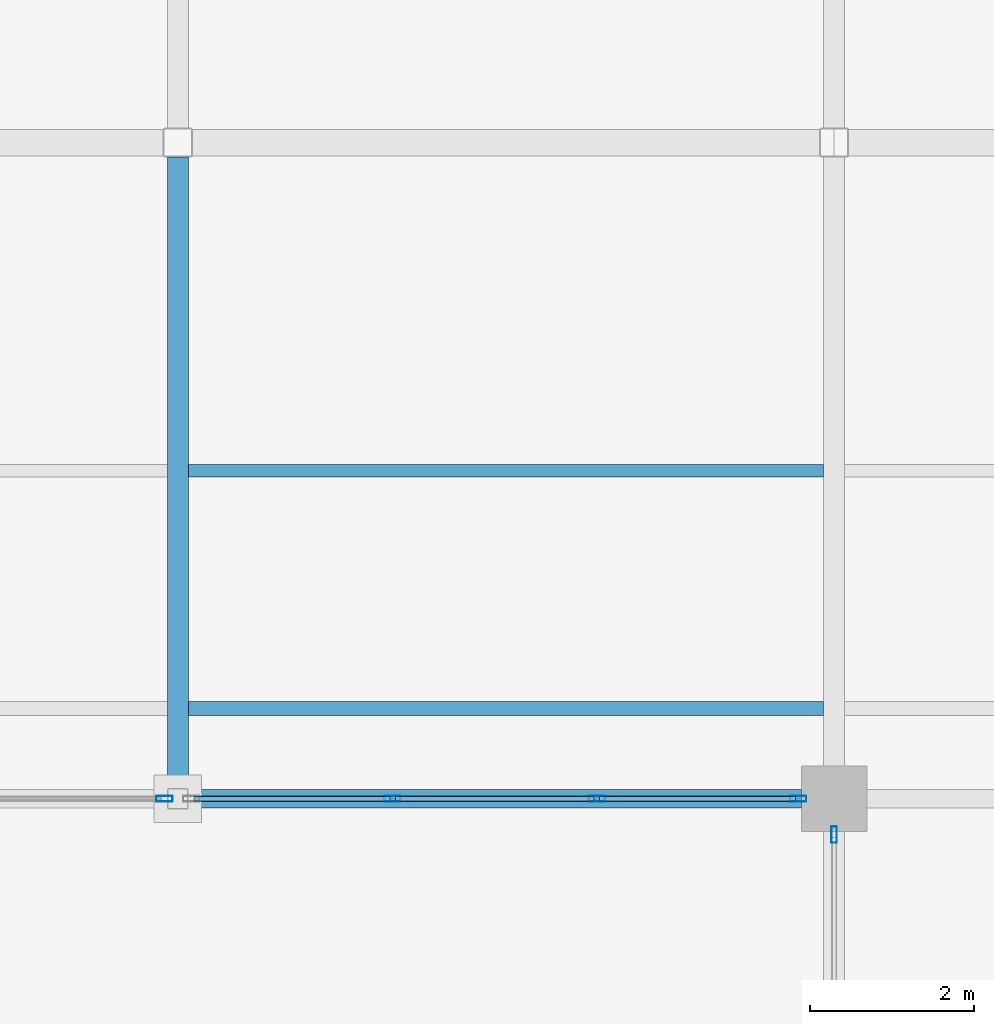
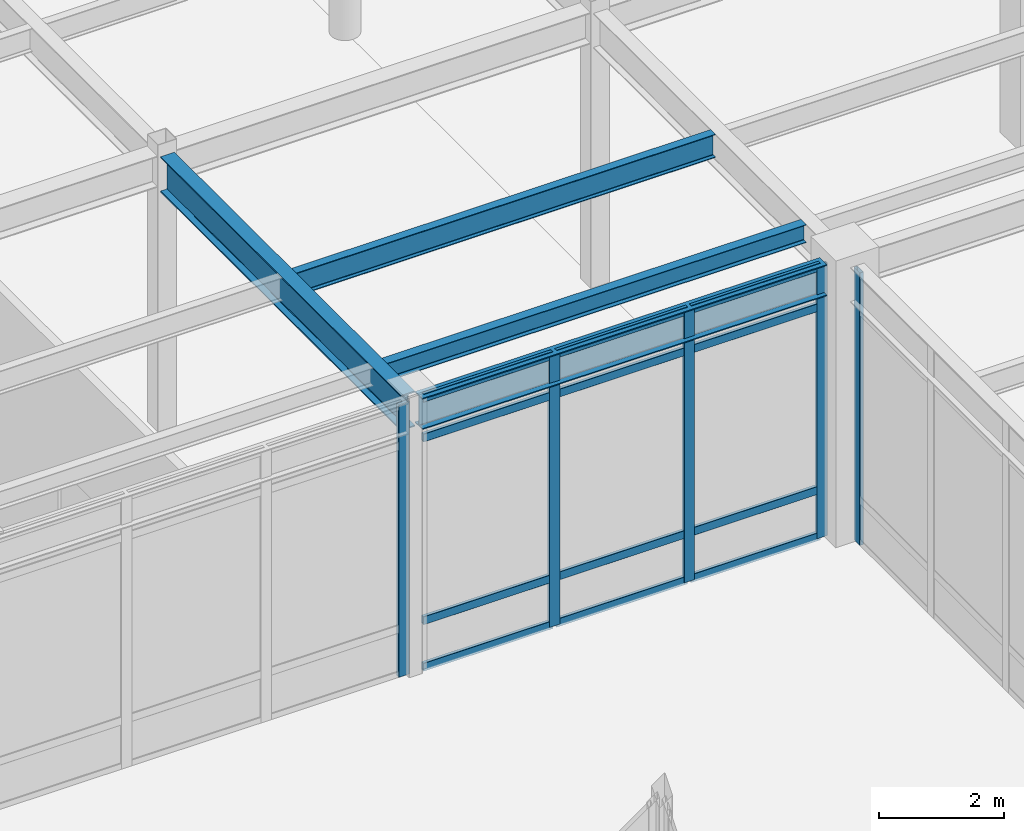
# One storey, part 68 of 128: 17 members, 4 beams, 3 elements without a shape of their own.
"""IFC4 building model written with IfcOpenShell, lengths in metres."""

from ifc_helpers import new_model, si_unit, direction, frame, origin, origin_2d, place, context, subcontext, project, spatial, hollow_rectangle, i_section, extrude, material, material_profile, profile_set, type_object, element, aggregate, save


model = new_model("IFC4")

# Units and contexts
model_context = context("Model", 3, precision=1e-05, world=origin(), true_north=direction((0.0, 1.0)))
body_context = subcontext(model_context, "Body", "Model", "MODEL_VIEW")
ifc_project = project(units=[si_unit("LENGTHUNIT", "METRE"), si_unit("AREAUNIT", "SQUARE_METRE"), si_unit("VOLUMEUNIT", "CUBIC_METRE"), si_unit("PLANEANGLEUNIT", "RADIAN"), si_unit("MASSUNIT", "GRAM", prefix="KILO")], contexts=[model_context])

# Site, building, storey
site_placement = place(None, origin())
site = spatial("IfcSite", under=ifc_project, at=site_placement, CompositionType="ELEMENT")
building_placement = place(site_placement, origin())
building = spatial("IfcBuilding", under=site, at=building_placement, Name="Solmirada Galleria", CompositionType="ELEMENT")
storey_placement = place(building_placement, origin())
storey = spatial("IfcBuildingStorey", under=building, at=storey_placement, Name="L00", CompositionType="ELEMENT", Elevation=0.0)

# Beams
ifc_material_1 = material(Name="Steel S355 / ASTM A992 Grade 50", Category="steel")
ifc_material_profile_1 = material_profile(ifc_material_1, i_section(OverallWidth=0.22900390625, OverallDepth=0.612060546875, WebThickness=0.011962890625, FlangeThickness=0.01953125, FilletRadius=0.014892578125, at=origin_2d()), Name="W24X84")
ifc_profile_set_1 = profile_set([ifc_material_profile_1], Name="Steel S355 / ASTM A992 Grade 50")
beam_type_1 = type_object("IfcBeamType", Name="BM-GIRD-W24B", PredefinedType="BEAM", material=ifc_profile_set_1)
beam_1_placement = place(storey_placement, frame((72.126953125, 72.0, 5.053955078125), z_axis=(1.0, 0.0, 0.0), x_axis=(0.0, 1.0, 0.0)))
element("IfcBeam", 1, at=beam_1_placement, inside=storey, type_object=beam_type_1, Name="Primary beam L01 X(72..80, 72)", PredefinedType="BEAM", context=body_context, shape_type="SweptSolid", body=[
    extrude(i_section(OverallWidth=0.22900390625, OverallDepth=0.612060546875, WebThickness=0.011962890625, FlangeThickness=0.01953125, FilletRadius=0.014892578125, at=origin_2d()), origin(), (0.0, 0.0, 1.0), 7.47314453125),
])
ifc_material_profile_2 = material_profile(ifc_material_1, i_section(OverallWidth=0.256103515625, OverallDepth=0.693115234375, WebThickness=0.014404296875, FlangeThickness=0.023681640625, FilletRadius=0.01806640625, at=origin_2d()), Name="W27X114")
ifc_profile_set_2 = profile_set([ifc_material_profile_2], Name="Steel S355 / ASTM A992 Grade 50")
beam_type_2 = type_object("IfcBeamType", Name="BM-GIRD-W27A", PredefinedType="BEAM", material=ifc_profile_set_2)
beam_2_placement = place(storey_placement, frame((72.0, 72.126953125, 5.013427734375), z_axis=(0.0, 1.0, 0.0), x_axis=(-1.0, 0.0, 0.0)))
element("IfcBeam", 2, at=beam_2_placement, inside=storey, type_object=beam_type_2, Name="Primary girder L01 Y(72, 72..80)", PredefinedType="BEAM", context=body_context, shape_type="SweptSolid", body=[
    extrude(i_section(OverallWidth=0.256103515625, OverallDepth=0.693115234375, WebThickness=0.014404296875, FlangeThickness=0.023681640625, FilletRadius=0.01806640625, at=origin_2d()), origin(), (0.0, 0.0, 1.0), 7.695068359375),
])
ifc_material_profile_3 = material_profile(ifc_material_1, i_section(OverallWidth=0.1708984375, OverallDepth=0.35205078125, WebThickness=0.0068359375, FlangeThickness=0.009765625, FilletRadius=0.010986328125, at=origin_2d()), Name="W14X30")
ifc_profile_set_3 = profile_set([ifc_material_profile_3], Name="Steel S355 / ASTM A992 Grade 50")
beam_type_3 = type_object("IfcBeamType", Name="BM-JST-W14B", PredefinedType="JOIST", material=ifc_profile_set_3)
beam_3_placement = place(storey_placement, frame((72.1279296875, 73.10009765625, 5.18408203125), z_axis=(1.0, 0.0, 0.0), x_axis=(0.0, 1.0, 0.0)))
element("IfcBeam", 3, at=beam_3_placement, inside=storey, type_object=beam_type_3, Name="Terrace deck joist L01-TERR-NW X=72..80 (1)", PredefinedType="JOIST", context=body_context, shape_type="SweptSolid", body=[
    extrude(i_section(OverallWidth=0.1708984375, OverallDepth=0.35205078125, WebThickness=0.0068359375, FlangeThickness=0.009765625, FilletRadius=0.010986328125, at=origin_2d()), origin(), (0.0, 0.0, 1.0), 7.7451171875),
])
ifc_material_profile_4 = material_profile(ifc_material_1, i_section(OverallWidth=0.153076171875, OverallDepth=0.455078125, WebThickness=0.008056640625, FlangeThickness=0.01318359375, FilletRadius=0.011962890625, at=origin_2d()), Name="W18X40")
ifc_profile_set_4 = profile_set([ifc_material_profile_4], Name="Steel S355 / ASTM A992 Grade 50")
beam_type_4 = type_object("IfcBeamType", Name="BM-JST-W18A", PredefinedType="JOIST", material=ifc_profile_set_4)
beam_4_placement = place(storey_placement, frame((72.1279296875, 76.0, 5.132568359375), z_axis=(1.0, 0.0, 0.0), x_axis=(0.0, 1.0, 0.0)))
element("IfcBeam", 4, at=beam_4_placement, inside=storey, type_object=beam_type_4, Name="Composite floor joist L01 (72..80, 76.0)", PredefinedType="JOIST", context=body_context, shape_type="SweptSolid", body=[
    extrude(i_section(OverallWidth=0.153076171875, OverallDepth=0.455078125, WebThickness=0.008056640625, FlangeThickness=0.01318359375, FilletRadius=0.011962890625, at=origin_2d()), origin(), (0.0, 0.0, 1.0), 7.7451171875),
])

# Curtain wall, member
ifc_material_2 = material(Name="Impact-resistant low-E double glazing", Category="glass")
curtain_wall_type_1 = type_object("IfcCurtainWallType", Name="CW-FZ3-L00-B3-L072", PredefinedType="NOTDEFINED", material=ifc_material_2)
curtain_wall_1_placement = place(storey_placement, origin())
curtain_wall_1 = element("IfcCurtainWall", 5, at=curtain_wall_1_placement, inside=storey, type_object=curtain_wall_type_1, Name="Terrace and arcade storefront CW-L00-003", PredefinedType="NOTDEFINED")
ifc_material_3 = material(Name="Anodised aluminium framing", Category="aluminium")
ifc_material_profile_5 = material_profile(ifc_material_3, hollow_rectangle(XDim=0.070068359375, YDim=0.199951171875, WallThickness=0.004150390625, InnerFilletRadius=0.004150390625, OuterFilletRadius=0.00830078125, at=origin_2d()), Name="ALU-MULL-200X70")
ifc_profile_set_5 = profile_set([ifc_material_profile_5], Name="Anodised aluminium framing")
member_type_1 = type_object("IfcMemberType", Name="CW-MULL-200", PredefinedType="MULLION", material=ifc_profile_set_5)
member_1_placement = place(storey_placement, frame((80.0, 71.56298828125, 0.0), z_axis=(0.0, 0.0, 1.0), x_axis=(-1.0, 0.0, 0.0)))
member_1 = element("IfcMember", 6, at=member_1_placement, type_object=member_type_1, Name="CW01 mullion 4", PredefinedType="MULLION", context=body_context, shape_type="SweptSolid", body=[
    extrude(hollow_rectangle(XDim=0.070068359375, YDim=0.199951171875, WallThickness=0.004150390625, InnerFilletRadius=0.004150390625, OuterFilletRadius=0.00830078125, at=origin_2d()), origin(), (0.0, 0.0, 1.0), 5.320068359375),
])
aggregate(curtain_wall_1, [member_1])

# Curtain wall, members
curtain_wall_type_2 = type_object("IfcCurtainWallType", Name="CW-FZ4-L00-B3-L075", PredefinedType="NOTDEFINED", material=ifc_material_2)
curtain_wall_2_placement = place(storey_placement, origin())
curtain_wall_2 = element("IfcCurtainWall", 7, at=curtain_wall_2_placement, inside=storey, type_object=curtain_wall_type_2, Name="Terrace and arcade storefront CW-L00-004", PredefinedType="NOTDEFINED")
member_2_placement = place(storey_placement, frame((79.56298828125, 72.0, 0.0), z_axis=(0.0, 0.0, 1.0), x_axis=(0.0, -1.0, 0.0)))
member_2 = element("IfcMember", 8, at=member_2_placement, type_object=member_type_1, Name="CW02 mullion 1", PredefinedType="MULLION", context=body_context, shape_type="SweptSolid", body=[
    extrude(hollow_rectangle(XDim=0.070068359375, YDim=0.199951171875, WallThickness=0.004150390625, InnerFilletRadius=0.004150390625, OuterFilletRadius=0.00830078125, at=origin_2d()), origin(), (0.0, 0.0, 1.0), 5.320068359375),
])
member_3_placement = place(storey_placement, frame((77.1083984375, 72.0, 0.0), z_axis=(0.0, 0.0, 1.0), x_axis=(0.0, -1.0, 0.0)))
member_3 = element("IfcMember", 9, at=member_3_placement, type_object=member_type_1, Name="CW02 mullion 2", PredefinedType="MULLION", context=body_context, shape_type="SweptSolid", body=[
    extrude(hollow_rectangle(XDim=0.070068359375, YDim=0.199951171875, WallThickness=0.004150390625, InnerFilletRadius=0.004150390625, OuterFilletRadius=0.00830078125, at=origin_2d()), origin(), (0.0, 0.0, 1.0), 5.320068359375),
])
member_4_placement = place(storey_placement, frame((74.61865234375, 72.0, 0.0), z_axis=(0.0, 0.0, 1.0), x_axis=(0.0, -1.0, 0.0)))
member_4 = element("IfcMember", 10, at=member_4_placement, type_object=member_type_1, Name="CW02 mullion 3", PredefinedType="MULLION", context=body_context, shape_type="SweptSolid", body=[
    extrude(hollow_rectangle(XDim=0.070068359375, YDim=0.199951171875, WallThickness=0.004150390625, InnerFilletRadius=0.004150390625, OuterFilletRadius=0.00830078125, at=origin_2d()), origin(), (0.0, 0.0, 1.0), 5.320068359375),
])

# Curtain wall, member
curtain_wall_type_3 = type_object("IfcCurtainWallType", Name="CW-FZ4-L00-B3-L077", PredefinedType="NOTDEFINED", material=ifc_material_2)
curtain_wall_3_placement = place(storey_placement, origin())
curtain_wall_3 = element("IfcCurtainWall", 11, at=curtain_wall_3_placement, inside=storey, type_object=curtain_wall_type_3, Name="Terrace and arcade storefront CW-L00-005", PredefinedType="NOTDEFINED")
member_5_placement = place(storey_placement, frame((71.8359375, 72.0, 0.0), z_axis=(0.0, 0.0, 1.0), x_axis=(0.0, -1.0, 0.0)))
member_5 = element("IfcMember", 12, at=member_5_placement, type_object=member_type_1, Name="CW03 mullion 1", PredefinedType="MULLION", context=body_context, shape_type="SweptSolid", body=[
    extrude(hollow_rectangle(XDim=0.070068359375, YDim=0.199951171875, WallThickness=0.004150390625, InnerFilletRadius=0.004150390625, OuterFilletRadius=0.00830078125, at=origin_2d()), origin(), (0.0, 0.0, 1.0), 5.320068359375),
])
aggregate(curtain_wall_3, [member_5])

# Member
ifc_material_profile_6 = material_profile(ifc_material_3, hollow_rectangle(XDim=0.06494140625, YDim=0.159912109375, WallThickness=0.00390625, InnerFilletRadius=0.00390625, OuterFilletRadius=0.007568359375, at=origin_2d()), Name="ALU-TRAN-160X65")
ifc_profile_set_6 = profile_set([ifc_material_profile_6], Name="Anodised aluminium framing")
member_type_2 = type_object("IfcMemberType", Name="CW-TRAN-160", PredefinedType="USERDEFINED", material=ifc_profile_set_6)
member_6_placement = place(storey_placement, frame((79.528076171875, 72.0, 0.032470703125), z_axis=(-1.0, 0.0, 0.0), x_axis=(0.0, -1.0, 0.0)))
member_6 = element("IfcMember", 13, at=member_6_placement, type_object=member_type_2, Name="CW02 transom 1.1", ObjectType="TRANSOM", PredefinedType="USERDEFINED", context=body_context, shape_type="SweptSolid", body=[
    extrude(hollow_rectangle(XDim=0.06494140625, YDim=0.159912109375, WallThickness=0.00390625, InnerFilletRadius=0.00390625, OuterFilletRadius=0.007568359375, at=origin_2d()), origin(), (0.0, 0.0, 1.0), 2.384765625),
])

member_7_placement = place(storey_placement, frame((79.528076171875, 72.0, 0.93994140625), z_axis=(-1.0, 0.0, 0.0), x_axis=(0.0, -1.0, 0.0)))
member_7 = element("IfcMember", 14, at=member_7_placement, type_object=member_type_2, Name="CW02 transom 1.2", ObjectType="TRANSOM", PredefinedType="USERDEFINED", context=body_context, shape_type="SweptSolid", body=[
    extrude(hollow_rectangle(XDim=0.06494140625, YDim=0.159912109375, WallThickness=0.00390625, InnerFilletRadius=0.00390625, OuterFilletRadius=0.007568359375, at=origin_2d()), origin(), (0.0, 0.0, 1.0), 2.384765625),
])

member_8_placement = place(storey_placement, frame((79.528076171875, 72.0, 4.510009765625), z_axis=(-1.0, 0.0, 0.0), x_axis=(0.0, -1.0, 0.0)))
member_8 = element("IfcMember", 15, at=member_8_placement, type_object=member_type_2, Name="CW02 transom 1.3", ObjectType="TRANSOM", PredefinedType="USERDEFINED", context=body_context, shape_type="SweptSolid", body=[
    extrude(hollow_rectangle(XDim=0.06494140625, YDim=0.159912109375, WallThickness=0.00390625, InnerFilletRadius=0.00390625, OuterFilletRadius=0.007568359375, at=origin_2d()), origin(), (0.0, 0.0, 1.0), 2.384765625),
])

member_9_placement = place(storey_placement, frame((79.528076171875, 72.0, 5.28759765625), z_axis=(-1.0, 0.0, 0.0), x_axis=(0.0, -1.0, 0.0)))
member_9 = element("IfcMember", 16, at=member_9_placement, type_object=member_type_2, Name="CW02 transom 1.4", ObjectType="TRANSOM", PredefinedType="USERDEFINED", context=body_context, shape_type="SweptSolid", body=[
    extrude(hollow_rectangle(XDim=0.06494140625, YDim=0.159912109375, WallThickness=0.00390625, InnerFilletRadius=0.00390625, OuterFilletRadius=0.007568359375, at=origin_2d()), origin(), (0.0, 0.0, 1.0), 2.384765625),
])

member_10_placement = place(storey_placement, frame((77.0732421875, 72.0, 0.032470703125), z_axis=(-1.0, 0.0, 0.0), x_axis=(0.0, -1.0, 0.0)))
member_10 = element("IfcMember", 17, at=member_10_placement, type_object=member_type_2, Name="CW02 transom 2.1", ObjectType="TRANSOM", PredefinedType="USERDEFINED", context=body_context, shape_type="SweptSolid", body=[
    extrude(hollow_rectangle(XDim=0.06494140625, YDim=0.159912109375, WallThickness=0.00390625, InnerFilletRadius=0.00390625, OuterFilletRadius=0.007568359375, at=origin_2d()), origin(), (0.0, 0.0, 1.0), 2.419677734375),
])

member_11_placement = place(storey_placement, frame((77.0732421875, 72.0, 0.93994140625), z_axis=(-1.0, 0.0, 0.0), x_axis=(0.0, -1.0, 0.0)))
member_11 = element("IfcMember", 18, at=member_11_placement, type_object=member_type_2, Name="CW02 transom 2.2", ObjectType="TRANSOM", PredefinedType="USERDEFINED", context=body_context, shape_type="SweptSolid", body=[
    extrude(hollow_rectangle(XDim=0.06494140625, YDim=0.159912109375, WallThickness=0.00390625, InnerFilletRadius=0.00390625, OuterFilletRadius=0.007568359375, at=origin_2d()), origin(), (0.0, 0.0, 1.0), 2.419677734375),
])

member_12_placement = place(storey_placement, frame((77.0732421875, 72.0, 4.510009765625), z_axis=(-1.0, 0.0, 0.0), x_axis=(0.0, -1.0, 0.0)))
member_12 = element("IfcMember", 19, at=member_12_placement, type_object=member_type_2, Name="CW02 transom 2.3", ObjectType="TRANSOM", PredefinedType="USERDEFINED", context=body_context, shape_type="SweptSolid", body=[
    extrude(hollow_rectangle(XDim=0.06494140625, YDim=0.159912109375, WallThickness=0.00390625, InnerFilletRadius=0.00390625, OuterFilletRadius=0.007568359375, at=origin_2d()), origin(), (0.0, 0.0, 1.0), 2.419677734375),
])

member_13_placement = place(storey_placement, frame((77.0732421875, 72.0, 5.28759765625), z_axis=(-1.0, 0.0, 0.0), x_axis=(0.0, -1.0, 0.0)))
member_13 = element("IfcMember", 20, at=member_13_placement, type_object=member_type_2, Name="CW02 transom 2.4", ObjectType="TRANSOM", PredefinedType="USERDEFINED", context=body_context, shape_type="SweptSolid", body=[
    extrude(hollow_rectangle(XDim=0.06494140625, YDim=0.159912109375, WallThickness=0.00390625, InnerFilletRadius=0.00390625, OuterFilletRadius=0.007568359375, at=origin_2d()), origin(), (0.0, 0.0, 1.0), 2.419677734375),
])

member_14_placement = place(storey_placement, frame((74.583740234375, 72.0, 0.032470703125), z_axis=(-1.0, 0.0, 0.0), x_axis=(0.0, -1.0, 0.0)))
member_14 = element("IfcMember", 21, at=member_14_placement, type_object=member_type_2, Name="CW02 transom 3.1", ObjectType="TRANSOM", PredefinedType="USERDEFINED", context=body_context, shape_type="SweptSolid", body=[
    extrude(hollow_rectangle(XDim=0.06494140625, YDim=0.159912109375, WallThickness=0.00390625, InnerFilletRadius=0.00390625, OuterFilletRadius=0.007568359375, at=origin_2d()), origin(), (0.0, 0.0, 1.0), 2.384765625),
])

member_15_placement = place(storey_placement, frame((74.583740234375, 72.0, 0.93994140625), z_axis=(-1.0, 0.0, 0.0), x_axis=(0.0, -1.0, 0.0)))
member_15 = element("IfcMember", 22, at=member_15_placement, type_object=member_type_2, Name="CW02 transom 3.2", ObjectType="TRANSOM", PredefinedType="USERDEFINED", context=body_context, shape_type="SweptSolid", body=[
    extrude(hollow_rectangle(XDim=0.06494140625, YDim=0.159912109375, WallThickness=0.00390625, InnerFilletRadius=0.00390625, OuterFilletRadius=0.007568359375, at=origin_2d()), origin(), (0.0, 0.0, 1.0), 2.384765625),
])

member_16_placement = place(storey_placement, frame((74.583740234375, 72.0, 4.510009765625), z_axis=(-1.0, 0.0, 0.0), x_axis=(0.0, -1.0, 0.0)))
member_16 = element("IfcMember", 23, at=member_16_placement, type_object=member_type_2, Name="CW02 transom 3.3", ObjectType="TRANSOM", PredefinedType="USERDEFINED", context=body_context, shape_type="SweptSolid", body=[
    extrude(hollow_rectangle(XDim=0.06494140625, YDim=0.159912109375, WallThickness=0.00390625, InnerFilletRadius=0.00390625, OuterFilletRadius=0.007568359375, at=origin_2d()), origin(), (0.0, 0.0, 1.0), 2.384765625),
])

member_17_placement = place(storey_placement, frame((74.583740234375, 72.0, 5.28759765625), z_axis=(-1.0, 0.0, 0.0), x_axis=(0.0, -1.0, 0.0)))
member_17 = element("IfcMember", 24, at=member_17_placement, type_object=member_type_2, Name="CW02 transom 3.4", ObjectType="TRANSOM", PredefinedType="USERDEFINED", context=body_context, shape_type="SweptSolid", body=[
    extrude(hollow_rectangle(XDim=0.06494140625, YDim=0.159912109375, WallThickness=0.00390625, InnerFilletRadius=0.00390625, OuterFilletRadius=0.007568359375, at=origin_2d()), origin(), (0.0, 0.0, 1.0), 2.384765625),
])

aggregate(curtain_wall_2, [member_2, member_3, member_4, member_6, member_7, member_8, member_9, member_10, member_11, member_12, member_13, member_14, member_15, member_16, member_17])

save(model, "model.ifc")
